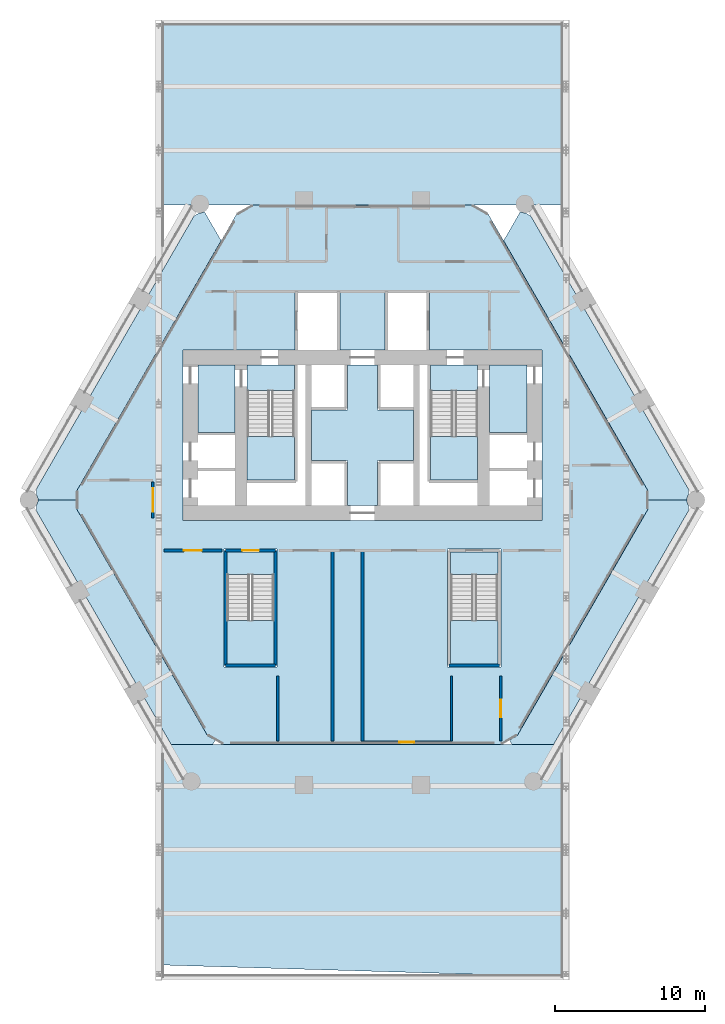
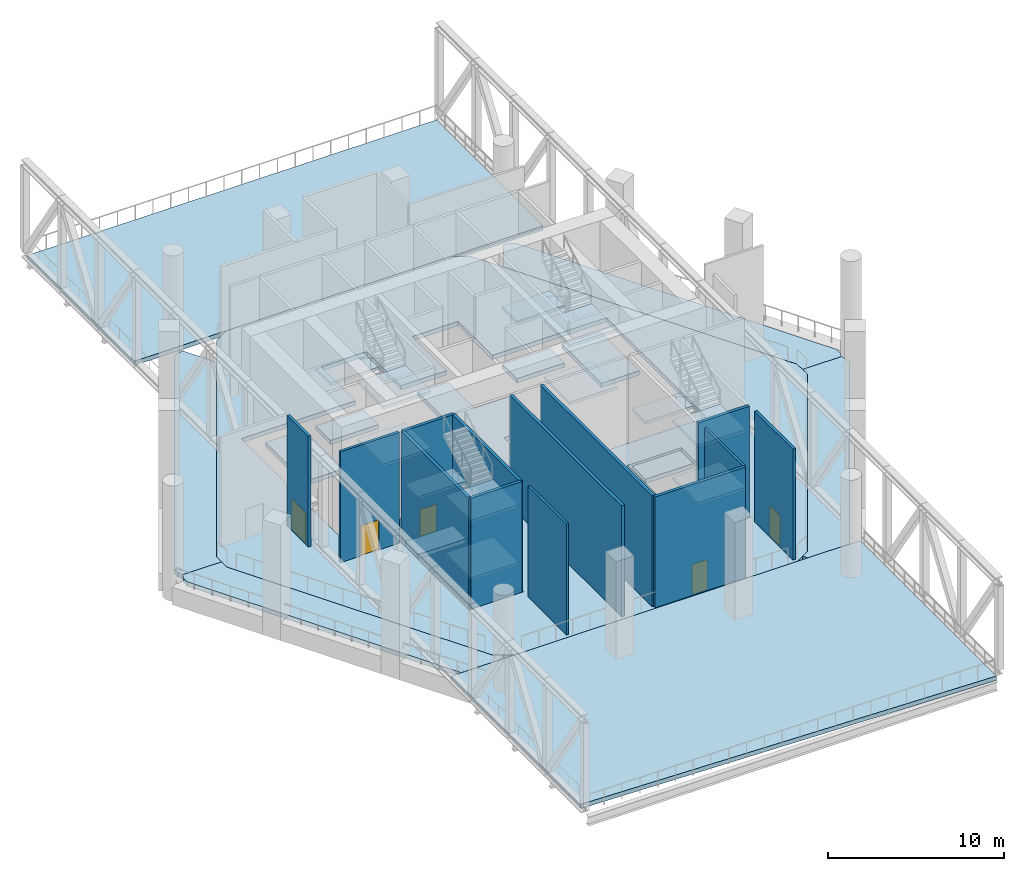
# One storey, part 4 of 16: 26 slabs, 13 walls, 5 doors, 5 openings, 4 elements without a shape of their own.
"""IFC4 building model written with IfcOpenShell, lengths in metres."""

import ifcopenshell
import ifcopenshell.guid

model = None  # the IFC model being written
_history = None  # IfcOwnerHistory: only IFC2X3 demands one
_inside = {}  # id of a spatial element -> (the spatial element, [elements in it])
_under = {}  # id of a project, library or spatial element -> (it, [spatial elements below it])
_declared = {}  # id of a project -> (the project, [libraries it declares])
_typed = {}  # id of a type object -> (the type object, [elements of that type])
_made_of = {}  # id of a material, layer set ... -> (it, [elements and type objects made of it])


def new_model(schema):
    """Start an empty IFC model of exactly this schema.

    Asked for "IFC4X3", IfcOpenShell would pick the latest addendum, in which some entities
    have other attributes; the version numbers below select the first issue.
    IFC2X3 requires an IfcOwnerHistory on every rooted entity: one is made here for all.
    """
    global model, _history
    if schema == "IFC4X3":
        model = ifcopenshell.file(schema_version=(4, 3, 0, 0))
    else:
        model = ifcopenshell.file(schema=schema)
    _inside.clear()
    _under.clear()
    _declared.clear()
    _typed.clear()
    _made_of.clear()
    _history = None
    if model.schema == "IFC2X3":
        org = make("IfcOrganization", Name="unknown")
        user = make(
            "IfcPersonAndOrganization",
            ThePerson=make("IfcPerson", FamilyName="unknown"),
            TheOrganization=org,
        )
        app = make(
            "IfcApplication",
            ApplicationDeveloper=org,
            Version="unknown",
            ApplicationFullName="unknown",
            ApplicationIdentifier="unknown",
        )
        _history = make(
            "IfcOwnerHistory",
            OwningUser=user,
            OwningApplication=app,
            ChangeAction="ADDED",
            CreationDate=0,
        )
    return model


def make(cls, **values):
    """One entity of the class cls with the attributes given. An attribute that is None is left unset."""
    return model.create_entity(
        cls, **{name: value for name, value in values.items() if value is not None}
    )


def rooted(cls, **values):
    """An entity with a GlobalId (a new one), such as an element, a storey or a relation."""
    return make(cls, GlobalId=ifcopenshell.guid.new(), OwnerHistory=_history, **values)


def si_unit(unit_type, name, prefix=None):
    """IfcSIUnit, for example si_unit("LENGTHUNIT", "METRE", prefix="MILLI")."""
    return make("IfcSIUnit", UnitType=unit_type, Prefix=prefix, Name=name)


def assignment(units):
    """IfcUnitAssignment: the units of a project."""
    return None if units is None else make("IfcUnitAssignment", Units=units)


def point(xyz):
    """IfcCartesianPoint."""
    return None if xyz is None else make("IfcCartesianPoint", Coordinates=xyz)


def direction(xyz):
    """IfcDirection."""
    return None if xyz is None else make("IfcDirection", DirectionRatios=xyz)


def frame(location, z_axis=None, x_axis=None):
    """IfcAxis2Placement3D, a coordinate frame: its origin and axes. An axis left out is left unset."""
    return make(
        "IfcAxis2Placement3D",
        Location=point(location),
        Axis=direction(z_axis),
        RefDirection=direction(x_axis),
    )


def frame_2d(location, x_axis=None):
    """IfcAxis2Placement2D, a coordinate frame in the plane: its origin and x axis."""
    return make(
        "IfcAxis2Placement2D", Location=point(location), RefDirection=direction(x_axis)
    )


def origin():
    """The frame at (0, 0, 0) with its axes left unset."""
    return frame((0.0, 0.0, 0.0))


def place(relative_to, where):
    """IfcLocalPlacement: puts the frame where relative to a parent placement (None: the world)."""
    return make(
        "IfcLocalPlacement", PlacementRelTo=relative_to, RelativePlacement=where
    )


def context(
    kind, dimensions, precision=None, world=None, true_north=None, identifier=None
):
    """IfcGeometricRepresentationContext, for example the 3D "Model" context."""
    return make(
        "IfcGeometricRepresentationContext",
        ContextIdentifier=identifier,
        ContextType=kind,
        CoordinateSpaceDimension=dimensions,
        Precision=precision,
        WorldCoordinateSystem=world,
        TrueNorth=true_north,
    )


def subcontext(parent, identifier, kind, view, scale=None):
    """IfcGeometricRepresentationSubContext, for example "Body" below "Model"."""
    return make(
        "IfcGeometricRepresentationSubContext",
        ContextIdentifier=identifier,
        ContextType=kind,
        ParentContext=parent,
        TargetScale=scale,
        TargetView=view,
    )


def project(units=None, contexts=None):
    """IfcProject with its units and contexts."""
    return rooted(
        "IfcProject",
        Name="project",
        RepresentationContexts=contexts,
        UnitsInContext=assignment(units),
    )


def spatial(cls, under=None, at=None, **own):
    """A site, building, storey or space (cls), placed at a placement, below another one or the project."""
    s = rooted(cls, ObjectPlacement=at, **own)
    if under is not None:
        _under.setdefault(under.id(), (under, []))[1].append(s)
    return s


def polyline(points):
    """IfcPolyline through the points."""
    return make("IfcPolyline", Points=[point(p) for p in points])


def profile(cls, at=None, kind="AREA", **sizes):
    """A parametric profile (cls). Its sizes go by their IFC names, for example OverallWidth=200.0."""
    return make(cls, ProfileType=kind, Position=at, **sizes)


def rectangle(**sizes):
    """IfcRectangleProfileDef."""
    return profile("IfcRectangleProfileDef", **sizes)


def outline(outer, holes=None, kind="AREA"):
    """IfcArbitraryClosedProfileDef: a profile drawn as a closed curve; with holes, ...WithVoids."""
    if holes is None:
        return make("IfcArbitraryClosedProfileDef", ProfileType=kind, OuterCurve=outer)
    return make(
        "IfcArbitraryProfileDefWithVoids",
        ProfileType=kind,
        OuterCurve=outer,
        InnerCurves=holes,
    )


def extrude(swept, where, along, depth):
    """IfcExtrudedAreaSolid: the profile swept, set in the frame where, extruded along a direction by depth."""
    return make(
        "IfcExtrudedAreaSolid",
        SweptArea=swept,
        Position=where,
        ExtrudedDirection=direction(along),
        Depth=depth,
    )


def shape(context_of_items, identifier, shape_type, items):
    """IfcShapeRepresentation: the items that make up one representation, for example the "Body"."""
    return make(
        "IfcShapeRepresentation",
        ContextOfItems=context_of_items,
        RepresentationIdentifier=identifier,
        RepresentationType=shape_type,
        Items=items,
    )


def material(Name=None, Category=None):
    """IfcMaterial."""
    return make("IfcMaterial", Name=Name, Category=Category)


def layer(
    of_material, thickness, ventilated=None, Name=None, Category=None, Priority=None
):
    """IfcMaterialLayer: one layer of a wall or slab, of a material (None: an air gap)."""
    return make(
        "IfcMaterialLayer",
        Material=of_material,
        LayerThickness=thickness,
        IsVentilated=ventilated,
        Name=Name,
        Category=Category,
        Priority=Priority,
    )


def layer_set(layers, Name=None):
    """IfcMaterialLayerSet."""
    return make("IfcMaterialLayerSet", MaterialLayers=layers, LayerSetName=Name)


def made_of(thing, what):
    """Note that an element or type object is made of a material, layer set ...; save() writes the relation."""
    if what is not None:
        _made_of.setdefault(what.id(), (what, []))[1].append(thing)
    return thing


def type_object(cls, material=None, **own):
    """A type object (cls), such as IfcWallType, which elements share."""
    return made_of(rooted(cls, **own), material)


def element(
    cls,
    number,
    at=None,
    inside=None,
    cuts=None,
    type_object=None,
    material=None,
    context=None,
    identifier="Body",
    shape_type=None,
    held_by="IfcProductDefinitionShape",
    body=None,
    shapes=None,
    **own,
):
    """One element of the class cls, such as IfcWall. Its Tag is "e" and its number.

    at: its placement. inside: the storey or other place that contains it. cuts: it is an
    opening in that element (IfcRelVoidsElement). A single representation is given by context,
    identifier, shape_type and body (its items); several are given by shapes. held_by: the class
    of the entity that holds the representations. save() writes the other relations.
    """
    e = rooted(cls, Tag="e%d" % number, ObjectPlacement=at, **own)
    if body is not None:
        shapes = [shape(context, identifier, shape_type, body)]
    if shapes is not None:
        e.Representation = make(held_by, Representations=shapes)
    if inside is not None:
        _inside.setdefault(inside.id(), (inside, []))[1].append(e)
    if cuts is not None:
        rooted(
            "IfcRelVoidsElement", RelatingBuildingElement=cuts, RelatedOpeningElement=e
        )
    if type_object is not None:
        _typed.setdefault(type_object.id(), (type_object, []))[1].append(e)
    return made_of(e, material)


def fill(opening, filler):
    """IfcRelFillsElement: the door or window that sits in an opening."""
    return rooted(
        "IfcRelFillsElement",
        RelatingOpeningElement=opening,
        RelatedBuildingElement=filler,
    )


def aggregate(whole, parts):
    """IfcRelAggregates: a whole, such as a stair, and the parts it consists of."""
    return rooted("IfcRelAggregates", RelatingObject=whole, RelatedObjects=parts)


def save(model, path):
    """Write the relations noted so far, then the file.

    IfcRelAggregates (storeys below a building ...), IfcRelContainedInSpatialStructure (elements
    in a storey), IfcRelDefinesByType, IfcRelAssociatesMaterial and IfcRelDeclares: one each for
    every whole, place, type object, material and project.
    """
    for whole, parts in _under.values():
        aggregate(whole, parts)
    for where, things in _inside.values():
        rooted(
            "IfcRelContainedInSpatialStructure",
            RelatedElements=things,
            RelatingStructure=where,
        )
    for kind, things in _typed.values():
        rooted("IfcRelDefinesByType", RelatedObjects=things, RelatingType=kind)
    for what, things in _made_of.values():
        rooted("IfcRelAssociatesMaterial", RelatedObjects=things, RelatingMaterial=what)
    for by, libraries in _declared.values():
        rooted("IfcRelDeclares", RelatingContext=by, RelatedDefinitions=libraries)
    model.write(path)


model = new_model("IFC4")

# Units and contexts
model_context = context("Model", 3, precision=1e-05, world=origin(), true_north=direction((0.0, 1.0)))
body_context = subcontext(model_context, "Body", "Model", "MODEL_VIEW")
ifc_project = project(units=[si_unit("LENGTHUNIT", "METRE"), si_unit("AREAUNIT", "SQUARE_METRE"), si_unit("VOLUMEUNIT", "CUBIC_METRE"), si_unit("PLANEANGLEUNIT", "RADIAN"), si_unit("MASSUNIT", "GRAM", prefix="KILO")], contexts=[model_context])

# Site, building, storey
site_placement = place(None, origin())
site = spatial("IfcSite", under=ifc_project, at=site_placement, CompositionType="ELEMENT")
building_placement = place(site_placement, origin())
building = spatial("IfcBuilding", under=site, at=building_placement, Name="Ostrander Bayou Hotel Tower", CompositionType="ELEMENT")
storey_placement = place(building_placement, frame((0.0, 0.0, 108.0)))
storey = spatial("IfcBuildingStorey", under=building, at=storey_placement, Name="L27", CompositionType="ELEMENT", Elevation=108.0)

# Slabs
ifc_material_1 = material(Name="Concrete f'c 40 MPa", Category="concrete")
ifc_layer_1 = layer(ifc_material_1, 0.300048828125)
ifc_layer_set_1 = layer_set([ifc_layer_1], Name="SL1 floor slab 300 mm f'c 40 MPa")
slab_type_1 = type_object("IfcSlabType", Name="SL1 floor slab 300 mm f'c 40 MPa", PredefinedType="FLOOR", material=ifc_layer_set_1)
slab_1_placement = place(storey_placement, frame((0.0, 0.0, -0.300048828125)))
element("IfcSlab", 1, at=slab_1_placement, inside=storey, type_object=slab_type_1, Name="SL1 L27 1", PredefinedType="FLOOR", context=body_context, shape_type="SweptSolid", body=[
    extrude(outline(polyline([(8.397705078125, 18.800048828125), (19.094482421875, 0.272705078125), (19.094482421875, -0.92724609375), (10.350341796875, -16.07275390625), (9.31103515625, -16.672607421875), (-9.31103515625, -16.672607421875), (-10.350341796875, -16.07275390625), (-19.094482421875, -0.92724609375), (-19.094482421875, 0.272705078125), (-8.397705078125, 18.800048828125), (-7.358642578125, 19.39990234375), (7.358642578125, 19.39990234375), (8.397705078125, 18.800048828125)]), holes=[polyline([(-12.0, -1.699951171875), (12.0, -1.699951171875), (12.0, 9.699951171875), (4.5, 9.699951171875), (4.5, 13.60009765625), (1.5, 13.60009765625), (1.5, 9.699951171875), (-1.5, 9.699951171875), (-1.5, 13.60009765625), (-4.5, 13.60009765625), (-4.5, 9.699951171875), (-12.0, 9.699951171875), (-12.0, -1.699951171875)]), polyline([(9.25, -3.60009765625), (5.699951171875, -3.60009765625), (5.699951171875, -11.5), (9.25, -11.5), (9.25, -3.60009765625)]), polyline([(-5.699951171875, -3.60009765625), (-9.25, -3.60009765625), (-9.25, -11.5), (-5.699951171875, -11.5), (-5.699951171875, -3.60009765625)])]), origin(), (0.0, 0.0, 1.0), 0.300048828125),
])
slab_2_placement = place(storey_placement, frame((0.0, 0.0, -0.300048828125)))
element("IfcSlab", 2, at=slab_2_placement, inside=storey, type_object=slab_type_1, Name="cslab:L27:001", PredefinedType="FLOOR", context=body_context, shape_type="SweptSolid", body=[
    extrude(outline(polyline([(-3.39990234375, 5.699951171875), (-1.0, 5.699951171875), (-1.0, 8.699951171875), (1.0, 8.699951171875), (1.0, 5.699951171875), (3.39990234375, 5.699951171875), (3.39990234375, 2.300048828125), (1.0, 2.300048828125), (1.0, -0.699951171875), (-1.0, -0.699951171875), (-1.0, 2.300048828125), (-3.39990234375, 2.300048828125), (-3.39990234375, 5.699951171875)])), origin(), (0.0, 0.0, 1.0), 0.300048828125),
])
slab_3_placement = place(storey_placement, frame((0.0, 0.0, -0.300048828125)))
element("IfcSlab", 3, at=slab_3_placement, inside=storey, type_object=slab_type_1, Name="cslab:L27:002", PredefinedType="FLOOR", context=body_context, shape_type="SweptSolid", body=[
    extrude(outline(polyline([(-8.5, 4.199951171875), (-8.5, 8.699951171875), (-11.0, 8.699951171875), (-11.0, 4.199951171875), (-8.5, 4.199951171875)])), origin(), (0.0, 0.0, 1.0), 0.300048828125),
])
slab_4_placement = place(storey_placement, frame((0.0, 0.0, -0.300048828125)))
element("IfcSlab", 4, at=slab_4_placement, inside=storey, type_object=slab_type_1, Name="cslab:L27:003", PredefinedType="FLOOR", context=body_context, shape_type="SweptSolid", body=[
    extrude(outline(polyline([(11.0, 4.199951171875), (11.0, 8.699951171875), (8.5, 8.699951171875), (8.5, 4.199951171875), (11.0, 4.199951171875)])), origin(), (0.0, 0.0, 1.0), 0.300048828125),
])
slab_5_placement = place(storey_placement, frame((0.0, 0.0, -0.300048828125)))
element("IfcSlab", 5, at=slab_5_placement, inside=storey, type_object=slab_type_1, Name="cslab:L27:004", PredefinedType="FLOOR", context=body_context, shape_type="SweptSolid", body=[
    extrude(outline(polyline([(-4.550048828125, 7.0), (-4.550048828125, 8.699951171875), (-7.699951171875, 8.699951171875), (-7.699951171875, 7.0), (-4.550048828125, 7.0)])), origin(), (0.0, 0.0, 1.0), 0.300048828125),
])
slab_6_placement = place(storey_placement, frame((0.0, 0.0, -0.300048828125)))
element("IfcSlab", 6, at=slab_6_placement, inside=storey, type_object=slab_type_1, Name="cslab:L27:005", PredefinedType="FLOOR", context=body_context, shape_type="SweptSolid", body=[
    extrude(outline(polyline([(7.699951171875, 7.0), (7.699951171875, 8.699951171875), (4.550048828125, 8.699951171875), (4.550048828125, 7.0), (7.699951171875, 7.0)])), origin(), (0.0, 0.0, 1.0), 0.300048828125),
])
slab_7_placement = place(storey_placement, frame((0.0, 0.0, -0.300048828125)))
element("IfcSlab", 7, at=slab_7_placement, inside=storey, type_object=slab_type_1, Name="cslab:L27:006", PredefinedType="FLOOR", context=body_context, shape_type="SweptSolid", body=[
    extrude(outline(polyline([(9.050048828125, -5.300048828125), (9.050048828125, -3.800048828125), (5.89990234375, -3.800048828125), (5.89990234375, -5.300048828125), (9.050048828125, -5.300048828125)])), origin(), (0.0, 0.0, 1.0), 0.300048828125),
])
slab_8_placement = place(storey_placement, frame((0.0, 0.0, -0.300048828125)))
element("IfcSlab", 8, at=slab_8_placement, inside=storey, type_object=slab_type_1, Name="cslab:L27:007", PredefinedType="FLOOR", context=body_context, shape_type="SweptSolid", body=[
    extrude(outline(polyline([(-5.89990234375, -5.300048828125), (-5.89990234375, -3.800048828125), (-9.050048828125, -3.800048828125), (-9.050048828125, -5.300048828125), (-5.89990234375, -5.300048828125)])), origin(), (0.0, 0.0, 1.0), 0.300048828125),
])
ifc_material_2 = material(Name="Concrete f'c 40 MPa", Category="concrete")
ifc_layer_2 = layer(ifc_material_2, 0.300048828125)
ifc_layer_set_2 = layer_set([ifc_layer_2], Name="SL4 loggia slab 300 mm f'c 40 MPa")
slab_type_2 = type_object("IfcSlabType", Name="SL4 loggia slab 300 mm f'c 40 MPa", PredefinedType="FLOOR", material=ifc_layer_set_2)
slab_9_placement = place(storey_placement, frame((0.0, 0.0, -0.300048828125)))
element("IfcSlab", 9, at=slab_9_placement, inside=storey, type_object=slab_type_2, Name="SL4 LOGGIA L27 NW 1", PredefinedType="FLOOR", context=body_context, shape_type="SweptSolid", body=[
    extrude(outline(polyline([(-21.779296875, 0.422607421875), (-18.755859375, 5.659423828125), (-18.185791015625, 6.646728515625), (-14.84912109375, 12.426025390625), (-14.279052734375, 13.413330078125), (-11.255615234375, 18.64990234375), (-10.888427734375, 18.862060546875), (-10.856689453125, 18.85888671875), (-10.739501953125, 18.870361328125), (-10.626953125, 18.904541015625), (-10.557861328125, 18.94140625), (-9.43701171875, 17.0), (-19.094482421875, 0.272705078125), (-19.094482421875, -0.327392578125), (-21.68017578125, -0.327392578125), (-21.691650390625, -0.210205078125), (-21.725830078125, -0.09765625), (-21.779296875, 0.002197265625), (-21.779296875, 0.422607421875)])), origin(), (0.0, 0.0, 1.0), 0.300048828125),
])
slab_10_placement = place(storey_placement, frame((0.0, 0.0, -0.300048828125)))
element("IfcSlab", 10, at=slab_10_placement, inside=storey, type_object=slab_type_2, Name="SL4 LOGGIA L27 SW 1", PredefinedType="FLOOR", context=body_context, shape_type="SweptSolid", body=[
    extrude(outline(polyline([(-9.830810546875, -16.372802734375), (-10.00390625, -16.672607421875), (-12.775146484375, -16.672607421875), (-14.5625, -13.576904296875), (-15.132568359375, -12.589599609375), (-18.46923828125, -6.810302734375), (-19.039306640625, -5.822998046875), (-21.779296875, -1.077392578125), (-21.779296875, -0.65673828125), (-21.725830078125, -0.556884765625), (-21.691650390625, -0.4443359375), (-21.68017578125, -0.327392578125), (-19.094482421875, -0.327392578125), (-19.094482421875, -0.92724609375), (-10.350341796875, -16.07275390625), (-9.830810546875, -16.372802734375)])), origin(), (0.0, 0.0, 1.0), 0.300048828125),
])
slab_11_placement = place(storey_placement, frame((0.0, 0.0, -0.300048828125)))
element("IfcSlab", 11, at=slab_11_placement, inside=storey, type_object=slab_type_2, Name="SL4 LOGGIA L27 SE 1", PredefinedType="FLOOR", context=body_context, shape_type="SweptSolid", body=[
    extrude(outline(polyline([(21.779296875, -1.077392578125), (19.039306640625, -5.822998046875), (18.46923828125, -6.810302734375), (15.132568359375, -12.589599609375), (14.5625, -13.576904296875), (12.775146484375, -16.672607421875), (10.00390625, -16.672607421875), (9.830810546875, -16.372802734375), (10.350341796875, -16.07275390625), (19.094482421875, -0.92724609375), (19.094482421875, -0.327392578125), (21.68017578125, -0.327392578125), (21.691650390625, -0.4443359375), (21.725830078125, -0.556884765625), (21.779296875, -0.65673828125), (21.779296875, -1.077392578125)])), origin(), (0.0, 0.0, 1.0), 0.300048828125),
])
slab_12_placement = place(storey_placement, frame((0.0, 0.0, -0.300048828125)))
element("IfcSlab", 12, at=slab_12_placement, inside=storey, type_object=slab_type_2, Name="SL4 LOGGIA L27 NE 1", PredefinedType="FLOOR", context=body_context, shape_type="SweptSolid", body=[
    extrude(outline(polyline([(10.557861328125, 18.94140625), (10.626953125, 18.904541015625), (10.739501953125, 18.870361328125), (10.856689453125, 18.85888671875), (10.888427734375, 18.862060546875), (11.255615234375, 18.64990234375), (12.91650390625, 15.7734375), (14.279052734375, 13.413330078125), (14.84912109375, 12.426025390625), (16.982421875, 8.73095703125), (18.185791015625, 6.646728515625), (18.755859375, 5.659423828125), (21.779296875, 0.422607421875), (21.779296875, 0.002197265625), (21.725830078125, -0.09765625), (21.691650390625, -0.210205078125), (21.68017578125, -0.327392578125), (19.094482421875, -0.327392578125), (19.094482421875, 0.272705078125), (9.43701171875, 17.0), (10.557861328125, 18.94140625)])), origin(), (0.0, 0.0, 1.0), 0.300048828125),
])
ifc_material_3 = material(Name="Concrete f'c 40 MPa", Category="concrete")
ifc_layer_3 = layer(ifc_material_3, 0.300048828125)
ifc_layer_set_3 = layer_set([ifc_layer_3], Name="SL6B terrace roof slab 300 mm f'c 40 MPa")
slab_type_3 = type_object("IfcSlabType", Name="SL6B terrace roof slab 300 mm f'c 40 MPa", PredefinedType="ROOF", material=ifc_layer_set_3)
slab_13_placement = place(storey_placement, frame((0.0, 0.0, -0.300048828125)))
element("IfcSlab", 13, at=slab_13_placement, inside=storey, type_object=slab_type_3, Name="SL6B ROOF SB2 1", PredefinedType="ROOF", context=body_context, shape_type="SweptSolid", body=[
    extrude(outline(polyline([(-13.442138671875, -16.672607421875), (13.442138671875, -16.672607421875), (13.442138671875, -32.199951171875), (-13.442138671875, -31.39990234375), (-13.442138671875, -16.672607421875)])), origin(), (0.0, 0.0, 1.0), 0.300048828125),
])
slab_14_placement = place(storey_placement, frame((0.0, 0.0, -0.300048828125)))
element("IfcSlab", 14, at=slab_14_placement, inside=storey, type_object=slab_type_3, Name="SL6B ROOF SB2 1", PredefinedType="ROOF", context=body_context, shape_type="SweptSolid", body=[
    extrude(outline(polyline([(-13.442138671875, 31.54541015625), (13.442138671875, 31.54541015625), (13.442138671875, 19.39990234375), (-13.442138671875, 19.39990234375), (-13.442138671875, 31.54541015625)])), origin(), (0.0, 0.0, 1.0), 0.300048828125),
])

# Stair, slabs
ifc_material_4 = material(Name="Concrete f'c 45 MPa", Category="concrete")
stair_type = type_object("IfcStairType", Name="ST1 exit stair 1500 mm f'c 45 MPa", PredefinedType="HALF_TURN_STAIR", material=ifc_material_4)
stair_1_placement = place(storey_placement, origin())
stair_1 = element("IfcStair", 15, at=stair_1_placement, inside=storey, type_object=stair_type, Name="L27 exit stair A", PredefinedType="HALF_TURN_STAIR")
ifc_material_5 = material(Name="Concrete f'c 45 MPa", Category="concrete")
ifc_layer_4 = layer(ifc_material_5, 0.199951171875)
ifc_layer_set_4 = layer_set([ifc_layer_4], Name="SL8 stair landing 200 mm f'c 45 MPa")
slab_type_4 = type_object("IfcSlabType", Name="SL8 stair landing 200 mm f'c 45 MPa", PredefinedType="LANDING", material=ifc_layer_set_4)
slab_15_placement = place(storey_placement, frame((0.0, 0.0, 1.800048828125)))
slab_15 = element("IfcSlab", 16, at=slab_15_placement, type_object=slab_type_4, Name="STA landing 1", PredefinedType="LANDING", context=body_context, shape_type="SweptSolid", body=[
    extrude(outline(polyline([(-7.699951171875, 3.919921875), (-7.699951171875, 1.0), (-4.550048828125, 1.0), (-4.550048828125, 3.919921875), (-7.699951171875, 3.919921875)])), origin(), (0.0, 0.0, 1.0), 0.199951171875),
])
slab_16_placement = place(storey_placement, frame((0.0, 0.0, 3.800048828125)))
slab_16 = element("IfcSlab", 17, at=slab_16_placement, type_object=slab_type_4, Name="STA landing 2", PredefinedType="LANDING", context=body_context, shape_type="SweptSolid", body=[
    extrude(outline(polyline([(-7.699951171875, 8.699951171875), (-7.699951171875, 7.0), (-4.550048828125, 7.0), (-4.550048828125, 8.699951171875), (-7.699951171875, 8.699951171875)])), origin(), (0.0, 0.0, 1.0), 0.199951171875),
])
slab_17_placement = place(storey_placement, frame((0.0, 0.0, 5.800048828125)))
slab_17 = element("IfcSlab", 18, at=slab_17_placement, type_object=slab_type_4, Name="STA landing 3", PredefinedType="LANDING", context=body_context, shape_type="SweptSolid", body=[
    extrude(outline(polyline([(-7.699951171875, 3.919921875), (-7.699951171875, 1.0), (-4.550048828125, 1.0), (-4.550048828125, 3.919921875), (-7.699951171875, 3.919921875)])), origin(), (0.0, 0.0, 1.0), 0.199951171875),
])
aggregate(stair_1, [slab_15, slab_16, slab_17])

stair_2_placement = place(storey_placement, origin())
stair_2 = element("IfcStair", 19, at=stair_2_placement, inside=storey, type_object=stair_type, Name="L27 exit stair B", PredefinedType="HALF_TURN_STAIR")
slab_18_placement = place(storey_placement, frame((0.0, 0.0, 1.800048828125)))
slab_18 = element("IfcSlab", 20, at=slab_18_placement, type_object=slab_type_4, Name="STB landing 1", PredefinedType="LANDING", context=body_context, shape_type="SweptSolid", body=[
    extrude(outline(polyline([(4.550048828125, 3.919921875), (4.550048828125, 1.0), (7.699951171875, 1.0), (7.699951171875, 3.919921875), (4.550048828125, 3.919921875)])), origin(), (0.0, 0.0, 1.0), 0.199951171875),
])
slab_19_placement = place(storey_placement, frame((0.0, 0.0, 3.800048828125)))
slab_19 = element("IfcSlab", 21, at=slab_19_placement, type_object=slab_type_4, Name="STB landing 2", PredefinedType="LANDING", context=body_context, shape_type="SweptSolid", body=[
    extrude(outline(polyline([(4.550048828125, 8.699951171875), (4.550048828125, 7.0), (7.699951171875, 7.0), (7.699951171875, 8.699951171875), (4.550048828125, 8.699951171875)])), origin(), (0.0, 0.0, 1.0), 0.199951171875),
])
slab_20_placement = place(storey_placement, frame((0.0, 0.0, 5.800048828125)))
slab_20 = element("IfcSlab", 22, at=slab_20_placement, type_object=slab_type_4, Name="STB landing 3", PredefinedType="LANDING", context=body_context, shape_type="SweptSolid", body=[
    extrude(outline(polyline([(4.550048828125, 3.919921875), (4.550048828125, 1.0), (7.699951171875, 1.0), (7.699951171875, 3.919921875), (4.550048828125, 3.919921875)])), origin(), (0.0, 0.0, 1.0), 0.199951171875),
])
aggregate(stair_2, [slab_18, slab_19, slab_20])

stair_3_placement = place(storey_placement, origin())
stair_3 = element("IfcStair", 23, at=stair_3_placement, inside=storey, type_object=stair_type, Name="L27 exit stair C", PredefinedType="HALF_TURN_STAIR")
slab_21_placement = place(storey_placement, frame((0.0, 0.0, 1.800048828125)))
slab_21 = element("IfcSlab", 24, at=slab_21_placement, type_object=slab_type_4, Name="STC landing 1", PredefinedType="LANDING", context=body_context, shape_type="SweptSolid", body=[
    extrude(outline(polyline([(5.89990234375, -8.3798828125), (5.89990234375, -11.300048828125), (9.050048828125, -11.300048828125), (9.050048828125, -8.3798828125), (5.89990234375, -8.3798828125)])), origin(), (0.0, 0.0, 1.0), 0.199951171875),
])
slab_22_placement = place(storey_placement, frame((0.0, 0.0, 3.800048828125)))
slab_22 = element("IfcSlab", 25, at=slab_22_placement, type_object=slab_type_4, Name="STC landing 2", PredefinedType="LANDING", context=body_context, shape_type="SweptSolid", body=[
    extrude(outline(polyline([(5.89990234375, -3.800048828125), (5.89990234375, -5.300048828125), (9.050048828125, -5.300048828125), (9.050048828125, -3.800048828125), (5.89990234375, -3.800048828125)])), origin(), (0.0, 0.0, 1.0), 0.199951171875),
])
slab_23_placement = place(storey_placement, frame((0.0, 0.0, 5.800048828125)))
slab_23 = element("IfcSlab", 26, at=slab_23_placement, type_object=slab_type_4, Name="STC landing 3", PredefinedType="LANDING", context=body_context, shape_type="SweptSolid", body=[
    extrude(outline(polyline([(5.89990234375, -8.3798828125), (5.89990234375, -11.300048828125), (9.050048828125, -11.300048828125), (9.050048828125, -8.3798828125), (5.89990234375, -8.3798828125)])), origin(), (0.0, 0.0, 1.0), 0.199951171875),
])
aggregate(stair_3, [slab_21, slab_22, slab_23])

stair_4_placement = place(storey_placement, origin())
stair_4 = element("IfcStair", 27, at=stair_4_placement, inside=storey, type_object=stair_type, Name="L27 exit stair D", PredefinedType="HALF_TURN_STAIR")
slab_24_placement = place(storey_placement, frame((0.0, 0.0, 1.800048828125)))
slab_24 = element("IfcSlab", 28, at=slab_24_placement, type_object=slab_type_4, Name="STD landing 1", PredefinedType="LANDING", context=body_context, shape_type="SweptSolid", body=[
    extrude(outline(polyline([(-9.050048828125, -8.3798828125), (-9.050048828125, -11.300048828125), (-5.89990234375, -11.300048828125), (-5.89990234375, -8.3798828125), (-9.050048828125, -8.3798828125)])), origin(), (0.0, 0.0, 1.0), 0.199951171875),
])
slab_25_placement = place(storey_placement, frame((0.0, 0.0, 3.800048828125)))
slab_25 = element("IfcSlab", 29, at=slab_25_placement, type_object=slab_type_4, Name="STD landing 2", PredefinedType="LANDING", context=body_context, shape_type="SweptSolid", body=[
    extrude(outline(polyline([(-9.050048828125, -3.800048828125), (-9.050048828125, -5.300048828125), (-5.89990234375, -5.300048828125), (-5.89990234375, -3.800048828125), (-9.050048828125, -3.800048828125)])), origin(), (0.0, 0.0, 1.0), 0.199951171875),
])
slab_26_placement = place(storey_placement, frame((0.0, 0.0, 5.800048828125)))
slab_26 = element("IfcSlab", 30, at=slab_26_placement, type_object=slab_type_4, Name="STD landing 3", PredefinedType="LANDING", context=body_context, shape_type="SweptSolid", body=[
    extrude(outline(polyline([(-9.050048828125, -8.3798828125), (-9.050048828125, -11.300048828125), (-5.89990234375, -11.300048828125), (-5.89990234375, -8.3798828125), (-9.050048828125, -8.3798828125)])), origin(), (0.0, 0.0, 1.0), 0.199951171875),
])
aggregate(stair_4, [slab_24, slab_25, slab_26])

# Walls
ifc_material_6 = material(Name="Gypsum board partition", Category="finish")
ifc_layer_5 = layer(ifc_material_6, 0.199951171875)
ifc_layer_set_5 = layer_set([ifc_layer_5], Name="PT3 demising wall 200 mm acoustic double stud, 1 hour")
wall_type_1 = type_object("IfcWallType", Name="PT3 demising wall 200 mm acoustic double stud, 1 hour", PredefinedType="PARTITIONING", material=ifc_layer_set_5)
for number, where, z_axis, x_axis, name in (
    (31, (-2.0, -16.442626953125, 0.0), (0.0, 0.0, 1.0), (0.0, 1.0, 0.0), "sw:L27:013"),
    (32, (0.0, -16.442626953125, 0.0), (0.0, 0.0, 1.0), (0.0, 1.0, 0.0), "sw:L27:014"),
):
    element("IfcWall", number, at=place(storey_placement, frame(where, z_axis=z_axis, x_axis=x_axis)), inside=storey, type_object=wall_type_1, Name=name, PredefinedType="PARTITIONING", context=body_context, shape_type="SweptSolid", body=[
        extrude(rectangle(XDim=12.74267578125, YDim=0.199951171875, at=frame_2d((6.371337890625, 0.0))), origin(), (0.0, 0.0, 1.0), 7.699951171875),
    ])

# Wall, opening, door
ifc_material_7 = material(Name="Gypsum board partition", Category="finish")
ifc_layer_6 = layer(ifc_material_7, 0.175048828125)
ifc_layer_set_6 = layer_set([ifc_layer_6], Name="PT4 corridor wall 175 mm, 1 hour")
wall_type_2 = type_object("IfcWallType", Name="PT4 corridor wall 175 mm, 1 hour", PredefinedType="PARTITIONING", material=ifc_layer_set_6)
wall_1_placement = place(storey_placement, frame((-13.27099609375, -3.699951171875, 0.0), z_axis=(0.0, 0.0, 1.0), x_axis=(1.0, 0.0, 0.0)))
wall_1 = element("IfcWall", 33, at=wall_1_placement, inside=storey, type_object=wall_type_2, Name="sw:L27:001", PredefinedType="PARTITIONING", context=body_context, shape_type="SweptSolid", body=[
    extrude(rectangle(XDim=3.89111328125, YDim=0.175048828125, at=frame_2d((1.945556640625, 0.0))), origin(), (0.0, 0.0, 1.0), 7.699951171875),
])
opening_1_placement = place(wall_1_placement, frame((1.345703125, 0.0, 0.0)))
opening_1 = element("IfcOpeningElement", 34, at=opening_1_placement, cuts=wall_1, Name="Opening T27-201", PredefinedType="OPENING", context=body_context, shape_type="SweptSolid", body=[
    extrude(rectangle(XDim=1.199951171875, YDim=2.10009765625, at=frame_2d((0.60009765625, 1.050048828125))), frame((0.0, 0.08740234375, 0.0), z_axis=(0.0, -1.0, 0.0), x_axis=(1.0, 0.0, 0.0)), (0.0, 0.0, 1.0), 0.175048828125),
])
ifc_material_8 = material(Name="Timber door leaf", Category="wood")
door_type_1 = type_object("IfcDoorType", Name="D10 plant room door 1200 x 2100 mm, 1 hour", OperationType="SINGLE_SWING_LEFT", PredefinedType="DOOR", material=ifc_material_8)
door_1_placement = place(opening_1_placement, origin())
door_1 = element("IfcDoor", 35, at=door_1_placement, inside=storey, type_object=door_type_1, Name="dr:L27:201", OperationType="SINGLE_SWING_LEFT", OverallHeight=2.10009765625, OverallWidth=1.199951171875, PredefinedType="DOOR", context=body_context, shape_type="SweptSolid", body=[
    extrude(rectangle(XDim=1.199951171875, YDim=2.10009765625, at=frame_2d((0.60009765625, 1.050048828125))), frame((0.0, 0.02490234375, 0.0), z_axis=(0.0, -1.0, 0.0), x_axis=(1.0, 0.0, 0.0)), (0.0, 0.0, 1.0), 0.050048828125),
])
fill(opening_1, door_1)

wall_2_placement = place(storey_placement, frame((-14.0, -1.52734375, 0.0), z_axis=(0.0, 0.0, 1.0), x_axis=(0.0, 1.0, 0.0)))
wall_2 = element("IfcWall", 36, at=wall_2_placement, inside=storey, type_object=wall_type_2, Name="sw:L27:007", PredefinedType="PARTITIONING", context=body_context, shape_type="SweptSolid", body=[
    extrude(rectangle(XDim=2.400146484375, YDim=0.175048828125, at=frame_2d((1.2001953125, 0.0))), origin(), (0.0, 0.0, 1.0), 7.699951171875),
])
opening_2_placement = place(wall_2_placement, frame((0.39990234375, 0.0, 0.0)))
opening_2 = element("IfcOpeningElement", 37, at=opening_2_placement, cuts=wall_2, Name="Opening T27-207", PredefinedType="OPENING", context=body_context, shape_type="SweptSolid", body=[
    extrude(rectangle(XDim=1.60009765625, YDim=2.10009765625, at=frame_2d((0.800048828125, 1.050048828125))), frame((0.0, 0.08740234375, 0.0), z_axis=(0.0, -1.0, 0.0), x_axis=(1.0, 0.0, 0.0)), (0.0, 0.0, 1.0), 0.175048828125),
])
ifc_material_9 = material(Name="Timber door leaf", Category="wood")
door_type_2 = type_object("IfcDoorType", Name="D13 double door 1600 x 2100 mm, 1 hour", OperationType="SINGLE_SWING_LEFT", PredefinedType="DOOR", material=ifc_material_9)
door_2_placement = place(opening_2_placement, origin())
door_2 = element("IfcDoor", 38, at=door_2_placement, inside=storey, type_object=door_type_2, Name="dr:L27:207", OperationType="DOUBLE_DOOR_SINGLE_SWING", OverallHeight=2.10009765625, OverallWidth=1.60009765625, PredefinedType="DOOR", context=body_context, shape_type="SweptSolid", body=[
    extrude(rectangle(XDim=1.60009765625, YDim=2.10009765625, at=frame_2d((0.800048828125, 1.050048828125))), frame((0.0, 0.02490234375, 0.0), z_axis=(0.0, -1.0, 0.0), x_axis=(1.0, 0.0, 0.0)), (0.0, 0.0, 1.0), 0.050048828125),
])
fill(opening_2, door_2)

wall_3_placement = place(storey_placement, frame((9.25, -16.4423828125, 0.0), z_axis=(0.0, 0.0, 1.0), x_axis=(0.0, 1.0, 0.0)))
wall_3 = element("IfcWall", 39, at=wall_3_placement, inside=storey, type_object=wall_type_2, Name="sw:L27:008", PredefinedType="PARTITIONING", context=body_context, shape_type="SweptSolid", body=[
    extrude(rectangle(XDim=4.3623046875, YDim=0.175048828125, at=frame_2d((2.18115234375, 0.0))), origin(), (0.0, 0.0, 1.0), 7.699951171875),
])
opening_3_placement = place(wall_3_placement, frame((1.581298828125, 0.0, 0.0)))
opening_3 = element("IfcOpeningElement", 40, at=opening_3_placement, cuts=wall_3, Name="Opening T27-205", PredefinedType="OPENING", context=body_context, shape_type="SweptSolid", body=[
    extrude(rectangle(XDim=1.199951171875, YDim=2.10009765625, at=frame_2d((0.60009765625, 1.050048828125))), frame((0.0, 0.08740234375, 0.0), z_axis=(0.0, -1.0, 0.0), x_axis=(1.0, 0.0, 0.0)), (0.0, 0.0, 1.0), 0.175048828125),
])
door_3_placement = place(opening_3_placement, origin())
door_3 = element("IfcDoor", 41, at=door_3_placement, inside=storey, type_object=door_type_1, Name="dr:L27:205", OperationType="SINGLE_SWING_LEFT", OverallHeight=2.10009765625, OverallWidth=1.199951171875, PredefinedType="DOOR", context=body_context, shape_type="SweptSolid", body=[
    extrude(rectangle(XDim=1.199951171875, YDim=2.10009765625, at=frame_2d((0.60009765625, 1.050048828125))), frame((0.0, 0.02490234375, 0.0), z_axis=(0.0, -1.0, 0.0), x_axis=(1.0, 0.0, 0.0)), (0.0, 0.0, 1.0), 0.050048828125),
])
fill(opening_3, door_3)

# Walls
ifc_material_10 = material(Name="Gypsum board partition", Category="finish")
ifc_layer_7 = layer(ifc_material_10, 0.14990234375)
ifc_layer_set_7 = layer_set([ifc_layer_7], Name="PT7 riser wall 150 mm, 2 hour")
wall_type_3 = type_object("IfcWallType", Name="PT7 riser wall 150 mm, 2 hour", PredefinedType="PARTITIONING", material=ifc_layer_set_7)
for number, where, z_axis, x_axis, name in (
    (42, (-5.64990234375, -16.442626953125, 0.0), (0.0, 0.0, 1.0), (0.0, 1.0, 0.0), "sw:L27:017"),
    (43, (5.949951171875, -16.442626953125, 0.0), (0.0, 0.0, 1.0), (0.0, 1.0, 0.0), "sw:L27:019"),
):
    element("IfcWall", number, at=place(storey_placement, frame(where, z_axis=z_axis, x_axis=x_axis)), inside=storey, type_object=wall_type_3, Name=name, PredefinedType="PARTITIONING", context=body_context, shape_type="SweptSolid", body=[
        extrude(rectangle(XDim=4.362548828125, YDim=0.14990234375, at=frame_2d((2.18115234375, 0.0))), origin(), (0.0, 0.0, 1.0), 7.699951171875),
    ])

# Wall, opening, door
ifc_material_11 = material(Name="Masonry block", Category="masonry")
ifc_layer_8 = layer(ifc_material_11, 0.199951171875)
ifc_layer_set_8 = layer_set([ifc_layer_8], Name="PT9 exterior screen wall 200 mm masonry, 1 hour")
wall_type_4 = type_object("IfcWallType", Name="PT9 exterior screen wall 200 mm masonry, 1 hour", PredefinedType="PARTITIONING", material=ifc_layer_set_8)
wall_4_placement = place(storey_placement, frame((0.0, -16.522705078125, 0.0), z_axis=(0.0, 0.0, 1.0), x_axis=(1.0, 0.0, 0.0)))
wall_4 = element("IfcWall", 44, at=wall_4_placement, inside=storey, type_object=wall_type_4, Name="sw:L27:020", PredefinedType="PARTITIONING", context=body_context, shape_type="SweptSolid", body=[
    extrude(rectangle(XDim=5.949951171875, YDim=0.199951171875, at=frame_2d((2.97509765625, 0.0))), origin(), (0.0, 0.0, 1.0), 7.699951171875),
])
opening_4_placement = place(wall_4_placement, frame((2.47509765625, 0.0, 0.0)))
opening_4 = element("IfcOpeningElement", 45, at=opening_4_placement, cuts=wall_4, Name="Opening T27-214", PredefinedType="OPENING", context=body_context, shape_type="SweptSolid", body=[
    extrude(rectangle(XDim=1.0, YDim=2.10009765625, at=frame_2d((0.5, 1.050048828125))), frame((0.0, 0.10009765625, 0.0), z_axis=(0.0, -1.0, 0.0), x_axis=(1.0, 0.0, 0.0)), (0.0, 0.0, 1.0), 0.199951171875),
])
ifc_material_12 = material(Name="Timber door leaf", Category="wood")
door_type_3 = type_object("IfcDoorType", Name="D4 corridor door 1000 x 2100 mm, 1 hour", OperationType="SINGLE_SWING_LEFT", PredefinedType="DOOR", material=ifc_material_12)
door_4_placement = place(opening_4_placement, origin())
door_4 = element("IfcDoor", 46, at=door_4_placement, inside=storey, type_object=door_type_3, Name="dr:L27:214", OperationType="SINGLE_SWING_LEFT", OverallHeight=2.10009765625, OverallWidth=1.0, PredefinedType="DOOR", context=body_context, shape_type="SweptSolid", body=[
    extrude(rectangle(XDim=1.0, YDim=2.10009765625, at=frame_2d((0.5, 1.050048828125))), frame((0.0, 0.02490234375, 0.0), z_axis=(0.0, -1.0, 0.0), x_axis=(1.0, 0.0, 0.0)), (0.0, 0.0, 1.0), 0.050048828125),
])
fill(opening_4, door_4)

# Wall
ifc_material_13 = material(Name="Concrete f'c 45 MPa", Category="concrete")
ifc_layer_9 = layer(ifc_material_13, 0.199951171875)
ifc_layer_set_9 = layer_set([ifc_layer_9], Name="SW5 stair enclosure wall 200 mm f'c 45 MPa")
wall_type_5 = type_object("IfcWallType", Name="SW5 stair enclosure wall 200 mm f'c 45 MPa", PredefinedType="SOLIDWALL", material=ifc_layer_set_9)
wall_5_placement = place(storey_placement, frame((5.800048828125, -11.39990234375, -0.300048828125), z_axis=(0.0, 0.0, 1.0), x_axis=(1.0, 0.0, 0.0)))
element("IfcWall", 47, at=wall_5_placement, inside=storey, type_object=wall_type_5, Name="cs:L27:016", PredefinedType="SOLIDWALL", context=body_context, shape_type="SweptSolid", body=[
    extrude(rectangle(XDim=3.349853515625, YDim=0.199951171875, at=frame_2d((1.6748046875, 0.0))), origin(), (0.0, 0.0, 1.0), 8.0),
])

# Wall, opening, door
wall_6_placement = place(storey_placement, frame((-9.14990234375, -3.699951171875, -0.300048828125), z_axis=(0.0, 0.0, 1.0), x_axis=(1.0, 0.0, 0.0)))
wall_6 = element("IfcWall", 48, at=wall_6_placement, inside=storey, type_object=wall_type_5, Name="cs:L27:017", PredefinedType="SOLIDWALL", context=body_context, shape_type="SweptSolid", body=[
    extrude(rectangle(XDim=3.349853515625, YDim=0.199951171875, at=frame_2d((1.6748046875, 0.0))), origin(), (0.0, 0.0, 1.0), 8.0),
])
opening_5_placement = place(wall_6_placement, frame((1.125, 0.0, 0.0)))
opening_5 = element("IfcOpeningElement", 49, at=opening_5_placement, cuts=wall_6, Name="Opening T27-008", PredefinedType="OPENING", context=body_context, shape_type="SweptSolid", body=[
    extrude(rectangle(XDim=1.10009765625, YDim=2.10009765625, at=frame_2d((0.550048828125, 1.050048828125))), frame((0.0, 0.10009765625, 0.0), z_axis=(0.0, -1.0, 0.0), x_axis=(1.0, 0.0, 0.0)), (0.0, 0.0, 1.0), 0.199951171875),
])
ifc_material_14 = material(Name="Timber door leaf", Category="wood")
door_type_4 = type_object("IfcDoorType", Name="D5 stair door 1100 x 2100 mm, 90 minute", OperationType="SINGLE_SWING_LEFT", PredefinedType="DOOR", material=ifc_material_14)
door_5_placement = place(opening_5_placement, origin())
door_5 = element("IfcDoor", 50, at=door_5_placement, inside=storey, type_object=door_type_4, Name="dr:L27:008", OperationType="SINGLE_SWING_LEFT", OverallHeight=2.10009765625, OverallWidth=1.10009765625, PredefinedType="DOOR", context=body_context, shape_type="SweptSolid", body=[
    extrude(rectangle(XDim=1.10009765625, YDim=2.10009765625, at=frame_2d((0.550048828125, 1.050048828125))), frame((0.0, 0.02490234375, 0.0), z_axis=(0.0, -1.0, 0.0), x_axis=(1.0, 0.0, 0.0)), (0.0, 0.0, 1.0), 0.050048828125),
])
fill(opening_5, door_5)

# Walls
for number, where, z_axis, x_axis, name in (
    (51, (-9.14990234375, -3.699951171875, -0.300048828125), (0.0, 0.0, 1.0), (0.0, -1.0, 0.0), "cs:L27:018"),
    (52, (-5.800048828125, -3.699951171875, -0.300048828125), (0.0, 0.0, 1.0), (0.0, -1.0, 0.0), "cs:L27:019"),
):
    element("IfcWall", number, at=place(storey_placement, frame(where, z_axis=z_axis, x_axis=x_axis)), inside=storey, type_object=wall_type_5, Name=name, PredefinedType="SOLIDWALL", context=body_context, shape_type="SweptSolid", body=[
        extrude(rectangle(XDim=7.699951171875, YDim=0.199951171875, at=frame_2d((3.85009765625, 0.0))), origin(), (0.0, 0.0, 1.0), 8.0),
    ])
wall_7_placement = place(storey_placement, frame((-9.14990234375, -11.39990234375, -0.300048828125), z_axis=(0.0, 0.0, 1.0), x_axis=(1.0, 0.0, 0.0)))
element("IfcWall", 53, at=wall_7_placement, inside=storey, type_object=wall_type_5, Name="cs:L27:020", PredefinedType="SOLIDWALL", context=body_context, shape_type="SweptSolid", body=[
    extrude(rectangle(XDim=3.349853515625, YDim=0.199951171875, at=frame_2d((1.6748046875, 0.0))), origin(), (0.0, 0.0, 1.0), 8.0),
])

save(model, "model.ifc")
